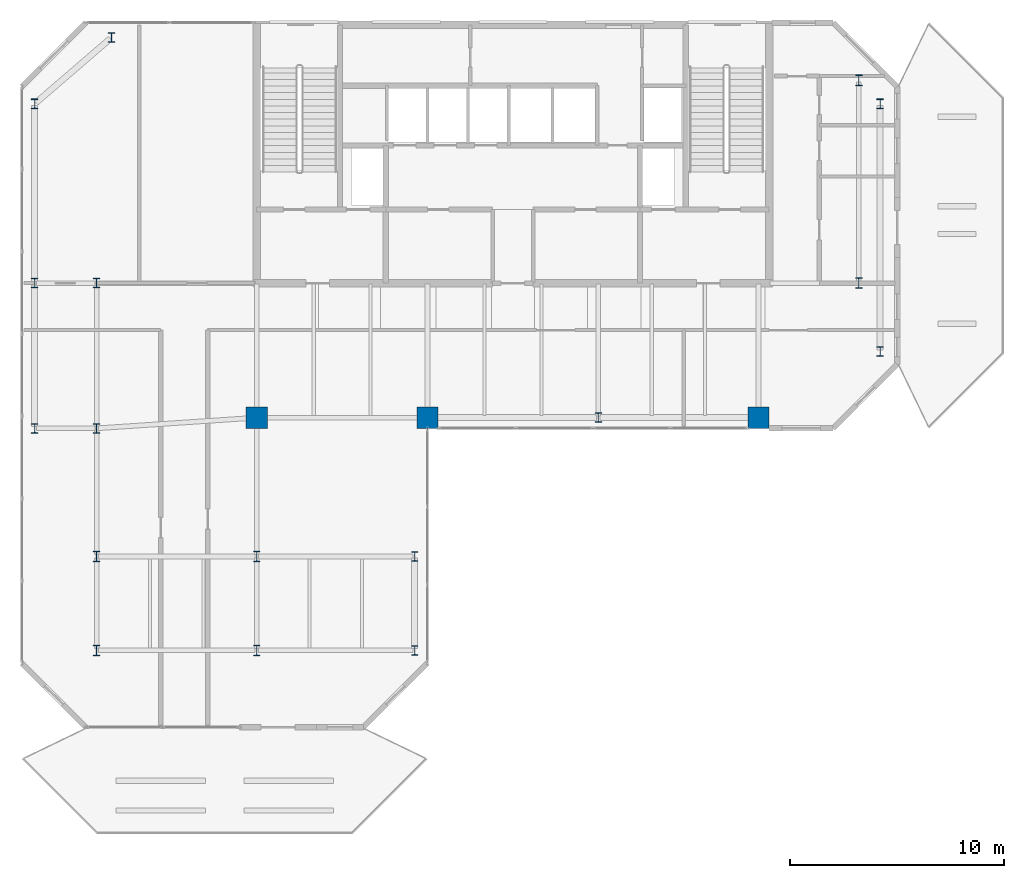
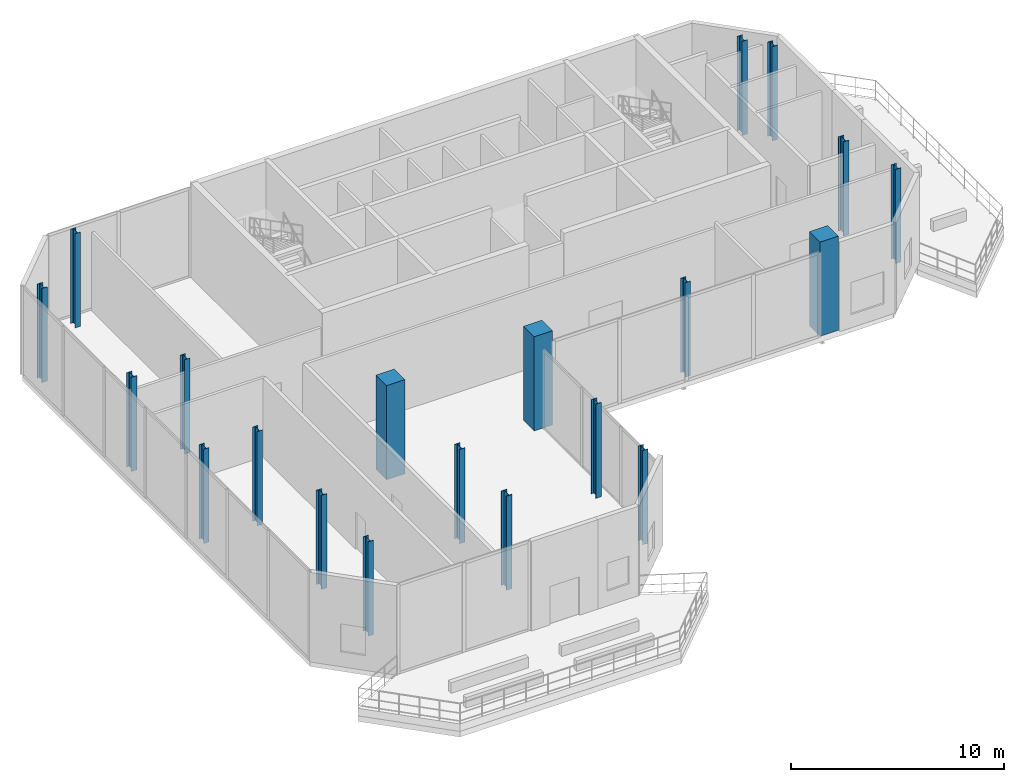
# One storey, part 1 of 17: 20 columns.
"""IFC4 building model written with IfcOpenShell, lengths in metres."""

from ifc_helpers import new_model, si_unit, direction, frame, origin, origin_2d, place, context, subcontext, project, spatial, rectangle, i_section, extrude, material, material_profile, profile_set, type_object, element, save


model = new_model("IFC4")

# Units and contexts
model_context = context("Model", 3, precision=1e-05, world=origin(), true_north=direction((0.0, 1.0)))
body_context = subcontext(model_context, "Body", "Model", "MODEL_VIEW")
ifc_project = project(units=[si_unit("LENGTHUNIT", "METRE"), si_unit("AREAUNIT", "SQUARE_METRE"), si_unit("VOLUMEUNIT", "CUBIC_METRE"), si_unit("PLANEANGLEUNIT", "RADIAN"), si_unit("MASSUNIT", "GRAM", prefix="KILO")], contexts=[model_context])

# Site, building, storey
site_placement = place(None, origin())
site = spatial("IfcSite", under=ifc_project, at=site_placement, CompositionType="ELEMENT")
building_placement = place(site_placement, origin())
building = spatial("IfcBuilding", under=site, at=building_placement, Name="Catumbela Crestline Tower", CompositionType="ELEMENT")
storey_placement = place(building_placement, frame((0.0, 0.0, 213.0)))
storey = spatial("IfcBuildingStorey", under=building, at=storey_placement, Name="L55", CompositionType="ELEMENT", Elevation=213.0)

# Columns
ifc_material_1 = material(Name="Concrete C50/60", Category="concrete")
ifc_material_profile_1 = material_profile(ifc_material_1, rectangle(XDim=1.0, YDim=1.0, at=origin_2d()), Name="RC 1000x1000")
ifc_profile_set_1 = profile_set([ifc_material_profile_1], Name="Concrete C50/60")
column_type_1 = type_object("IfcColumnType", Name="C-RC1000-C50", PredefinedType="COLUMN", material=ifc_profile_set_1)
for number, where, z_axis, x_axis, name in (
    (1, (16.0, 24.5, 0.0), (0.0, 0.0, 1.0), (1.0, 0.0, 0.0), "L55 Column C-16-24 (RC 1000x1000)"),
    (2, (24.0, 24.5, 0.0), (0.0, 0.0, 1.0), (1.0, 0.0, 0.0), "L55 Column C-24-24 (RC 1000x1000)"),
    (3, (39.5, 24.5, 0.0), (0.0, 0.0, 1.0), (1.0, 0.0, 0.0), "L55 Column C-40-24 (RC 1000x1000)"),
):
    element("IfcColumn", number, at=place(storey_placement, frame(where, z_axis=z_axis, x_axis=x_axis)), inside=storey, type_object=column_type_1, Name=name, PredefinedType="COLUMN", context=body_context, shape_type="SweptSolid", body=[
        extrude(rectangle(XDim=1.0, YDim=1.0, at=origin_2d()), origin(), (0.0, 0.0, 1.0), 5.4),
    ])
ifc_material_2 = material(Name="Structural steel S355J2", Category="steel")
ifc_material_profile_2 = material_profile(ifc_material_2, i_section(OverallWidth=0.3, OverallDepth=0.45, WebThickness=0.014, FlangeThickness=0.026, FilletRadius=0.027, at=origin_2d()), Name="HEB 450")
ifc_profile_set_2 = profile_set([ifc_material_profile_2], Name="Structural steel S355J2")
column_type_2 = type_object("IfcColumnType", Name="C-ST-HEB450", PredefinedType="COLUMN", material=ifc_profile_set_2)
for number, where, z_axis, x_axis, name in (
    (4, (8.5, 24.0, 0.0), (0.0, 0.0, 1.0), (1.0, 0.0, 0.0), "L55 Column C-08-24 (HEB 450)"),
    (5, (32.0, 24.5, 0.0), (0.0, 0.0, 1.0), (1.0, 0.0, 0.0), "L55 Column C-32-24 (HEB 450)"),
    (6, (5.6, 24.0, 0.0), (0.0, 0.0, 1.0), (1.0, 0.0, 0.0), "L55 Column C-05-24 (HEB 450)"),
    (7, (5.6, 30.8, 0.0), (0.0, 0.0, 1.0), (1.0, 0.0, 0.0), "L55 Column C-05-31 (HEB 450)"),
    (8, (5.6, 39.2, 0.0), (0.0, 0.0, 1.0), (1.0, 0.0, 0.0), "L55 Column C-05-43 (HEB 450)"),
    (9, (8.5, 30.8, 0.0), (0.0, 0.0, 1.0), (1.0, 0.0, 0.0), "L55 Column C-08-31 (HEB 450)"),
    (10, (9.2, 42.3, 0.0), (0.0, 0.0, 1.0), (1.0, 0.0, 0.0), "L55 Column C-08-43 (HEB 450)"),
    (11, (45.2, 27.6, 0.0), (0.0, 0.0, 1.0), (1.0, 0.0, 0.0), "L55 Column C-46-24 (HEB 450)"),
    (12, (45.2, 39.2, 0.0), (0.0, 0.0, 1.0), (1.0, 0.0, 0.0), "L55 Column C-46-43 (HEB 450)"),
    (13, (23.4, 13.6, 0.0), (0.0, 0.0, 1.0), (1.0, 0.0, 0.0), "L55 Column C-24-10 (HEB 450)"),
    (14, (23.4, 18.0, 0.0), (0.0, 0.0, 1.0), (1.0, 0.0, 0.0), "L55 Column C-24-16 (HEB 450)"),
):
    element("IfcColumn", number, at=place(storey_placement, frame(where, z_axis=z_axis, x_axis=x_axis)), inside=storey, type_object=column_type_2, Name=name, PredefinedType="COLUMN", context=body_context, shape_type="SweptSolid", body=[
        extrude(i_section(OverallWidth=0.3, OverallDepth=0.45, WebThickness=0.014, FlangeThickness=0.026, FilletRadius=0.027, at=origin_2d()), origin(), (0.0, 0.0, 1.0), 5.4),
    ])
ifc_material_profile_3 = material_profile(ifc_material_2, i_section(OverallWidth=0.3, OverallDepth=0.5, WebThickness=0.0145, FlangeThickness=0.028, FilletRadius=0.027, at=origin_2d()), Name="HEB 500")
ifc_profile_set_3 = profile_set([ifc_material_profile_3], Name="Structural steel S355J2")
column_type_3 = type_object("IfcColumnType", Name="C-ST-HEB500", PredefinedType="COLUMN", material=ifc_profile_set_3)
for number, where, z_axis, x_axis, name in (
    (15, (8.5, 13.6, 0.0), (0.0, 0.0, 1.0), (1.0, 0.0, 0.0), "L55 Column CT-05-10 (HEB 500)"),
    (16, (16.0, 13.6, 0.0), (0.0, 0.0, 1.0), (1.0, 0.0, 0.0), "L55 Column CT-14-10 (HEB 500)"),
    (17, (8.5, 18.0, 0.0), (0.0, 0.0, 1.0), (1.0, 0.0, 0.0), "L55 Column CT-05-16 (HEB 500)"),
    (18, (16.0, 18.0, 0.0), (0.0, 0.0, 1.0), (1.0, 0.0, 0.0), "L55 Column CT-14-16 (HEB 500)"),
    (19, (44.2, 30.8, 0.0), (0.0, 0.0, 1.0), (1.0, 0.0, 0.0), "L55 Column CT-46-31 (HEB 500)"),
    (20, (44.2, 40.3, 0.0), (0.0, 0.0, 1.0), (1.0, 0.0, 0.0), "L55 Column CT-46-37 (HEB 500)"),
):
    element("IfcColumn", number, at=place(storey_placement, frame(where, z_axis=z_axis, x_axis=x_axis)), inside=storey, type_object=column_type_3, Name=name, PredefinedType="COLUMN", context=body_context, shape_type="SweptSolid", body=[
        extrude(i_section(OverallWidth=0.3, OverallDepth=0.5, WebThickness=0.0145, FlangeThickness=0.028, FilletRadius=0.027, at=origin_2d()), origin(), (0.0, 0.0, 1.0), 5.4),
    ])

save(model, "model.ifc")
